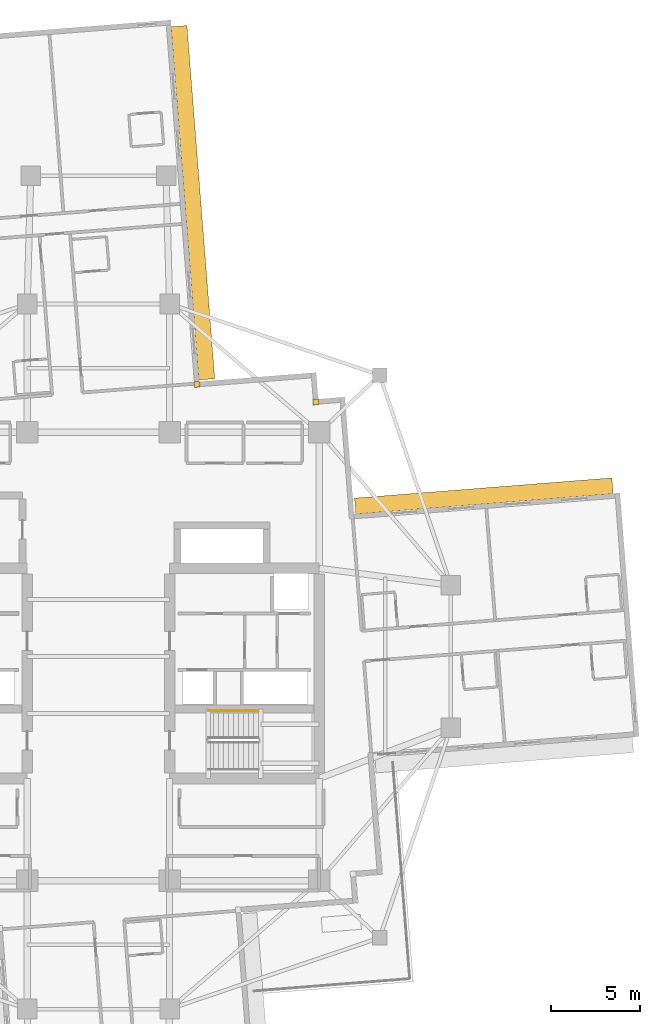
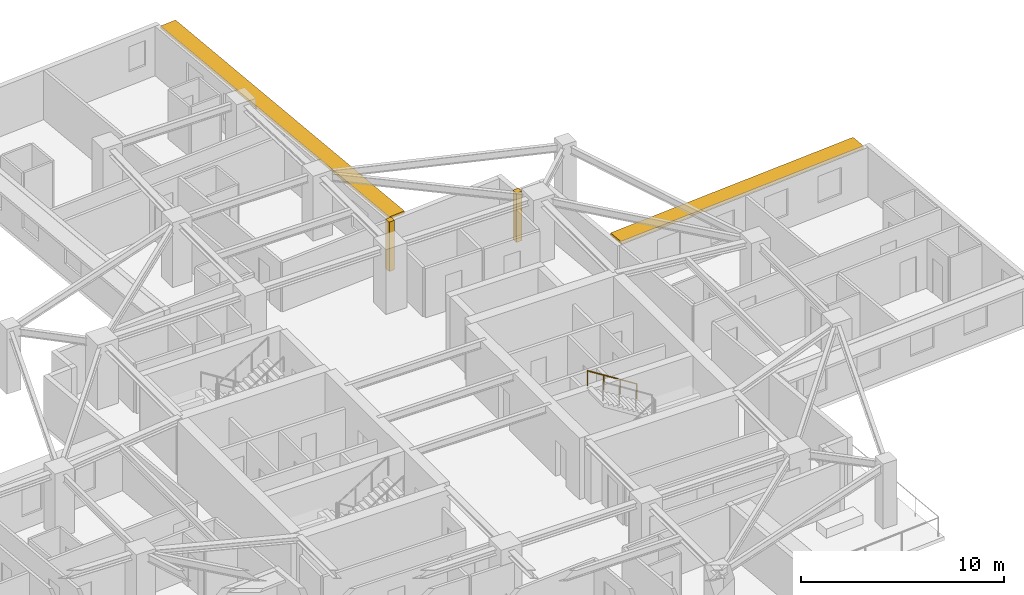
# One storey, part 14 of 14: 2 coverings, 2 shading devices, 1 railing.
"""IFC4 building model written with IfcOpenShell, lengths in metres."""

from ifc_helpers import new_model, si_unit, direction, frame, origin, origin_2d, place, context, subcontext, project, spatial, rectangle, circle, extrude, material, layer, layer_set, type_object, element, save


model = new_model("IFC4")

# Units and contexts
model_context = context("Model", 3, precision=1e-05, world=origin(), true_north=direction((0.0, 1.0)))
body_context = subcontext(model_context, "Body", "Model", "MODEL_VIEW")
ifc_project = project(units=[si_unit("LENGTHUNIT", "METRE"), si_unit("AREAUNIT", "SQUARE_METRE"), si_unit("VOLUMEUNIT", "CUBIC_METRE"), si_unit("PLANEANGLEUNIT", "RADIAN"), si_unit("MASSUNIT", "GRAM", prefix="KILO")], contexts=[model_context])

# Site, building, storey
site_placement = place(None, origin())
site = spatial("IfcSite", under=ifc_project, at=site_placement, CompositionType="ELEMENT")
building_placement = place(site_placement, origin())
building = spatial("IfcBuilding", under=site, at=building_placement, Name="Qingluan Cross Belvedere", CompositionType="ELEMENT")
storey_placement = place(building_placement, frame((0.0, 0.0, 124.199951171875)))
storey = spatial("IfcBuildingStorey", under=building, at=storey_placement, Name="L31", CompositionType="ELEMENT", Elevation=124.199951171875)

# Coverings
ifc_material_1 = material(Name="Precast concrete C45", Category="concrete")
ifc_layer_1 = layer(ifc_material_1, 0.1201171875, Name="ConcreteSpandrelCladding_120")
ifc_layer_set_1 = layer_set([ifc_layer_1], Name="Precast concrete C45")
covering_type = type_object("IfcCoveringType", Name="ConcreteSpandrelCladding_120", PredefinedType="CLADDING", material=ifc_layer_set_1)
for number, where, z_axis, x_axis, name in (
    (1, (12.215576171875, 14.302490234375, 0.0), (0.0, 0.0, 1.0), (0.996917333733, 0.078459095728, 0.0), "Corner closure L31-NE1"),
    (2, (5.5380859375, 15.281494140625, 0.0), (0.0, 0.0, 1.0), (0.996917333733, 0.078459095728, 0.0), "Corner closure L31-NE2"),
):
    element("IfcCovering", number, at=place(storey_placement, frame(where, z_axis=z_axis, x_axis=x_axis)), inside=storey, type_object=covering_type, Name=name, PredefinedType="CLADDING", context=body_context, shape_type="SweptSolid", body=[
        extrude(rectangle(XDim=0.320068359375, YDim=0.320068359375, at=origin_2d()), origin(), (0.0, 0.0, 1.0), 2.969970703125),
    ])

# Shading devices
ifc_material_2 = material(Name="Precast concrete C45", Category="concrete")
ifc_layer_2 = layer(ifc_material_2, 0.159912109375, Name="ConcreteSunshadeBand_900")
ifc_layer_set_2 = layer_set([ifc_layer_2], Name="Precast concrete C45")
shading_device_type = type_object("IfcShadingDeviceType", Name="ConcreteSunshadeBand_900", PredefinedType="USERDEFINED", material=ifc_layer_set_2)
shading_device_1_placement = place(storey_placement, frame((21.6494140625, 9.016357421875, 2.7900390625), z_axis=(0.0, 0.0, 1.0), x_axis=(-0.996917599256, -0.078455721862, 0.0)))
element("IfcShadingDevice", 3, at=shading_device_1_placement, inside=storey, type_object=shading_device_type, Name="Concrete SUNSHADE L31-EB", ObjectType="SUNSHADE", PredefinedType="USERDEFINED", context=body_context, shape_type="SweptSolid", body=[
    extrude(rectangle(XDim=14.5, YDim=0.89990234375, at=origin_2d()), origin(), (0.0, 0.0, 1.0), 0.159912109375),
])
shading_device_2_placement = place(storey_placement, frame((5.306884765625, 25.48486328125, 2.7900390625), z_axis=(0.0, 0.0, 1.0), x_axis=(-0.078457869429, 0.996917430244, 0.0)))
element("IfcShadingDevice", 4, at=shading_device_2_placement, inside=storey, type_object=shading_device_type, Name="Concrete SUNSHADE L31-NA", ObjectType="SUNSHADE", PredefinedType="USERDEFINED", context=body_context, shape_type="SweptSolid", body=[
    extrude(rectangle(XDim=19.89990234375, YDim=0.89990234375, at=origin_2d()), origin(), (0.0, 0.0, 1.0), 0.159912109375),
])

# Railing
ifc_material_3 = material(Name="Brushed stainless steel tubular handrail", Category="steel")
railing_type = type_object("IfcRailingType", Name="StairPitchHandrail_900", PredefinedType="HANDRAIL", material=ifc_material_3)
railing_placement = place(storey_placement, frame((8.97998046875, -3.050048828125, 2.12744140625)))
element("IfcRailing", 5, at=railing_placement, inside=storey, type_object=railing_type, Name="L31 ST2 stair handrail 2", PredefinedType="HANDRAIL", context=body_context, shape_type="SweptSolid", body=[
    extrude(circle(Radius=0.02392578125, at=origin_2d()), frame((0.0, 0.0, 0.8759765625), z_axis=(-0.844908973607, 0.0, 0.534910110503), x_axis=(0.0, -1.0, 0.0)), (0.0, 0.0, 1.0), 3.31396484375),
    extrude(circle(Radius=0.02099609375, at=origin_2d()), origin(), (0.0, 0.0, 1.0), 0.851806640625),
    extrude(circle(Radius=0.02099609375, at=origin_2d()), frame((-0.933349609375, 0.0, 0.5908203125)), (0.0, 0.0, 1.0), 0.851806640625),
    extrude(circle(Radius=0.02099609375, at=origin_2d()), frame((-1.86669921875, 0.0, 1.181884765625)), (0.0, 0.0, 1.0), 0.851806640625),
    extrude(circle(Radius=0.02099609375, at=origin_2d()), frame((-2.800048828125, 0.0, 1.772705078125)), (0.0, 0.0, 1.0), 0.851806640625),
])

save(model, "model.ifc")
